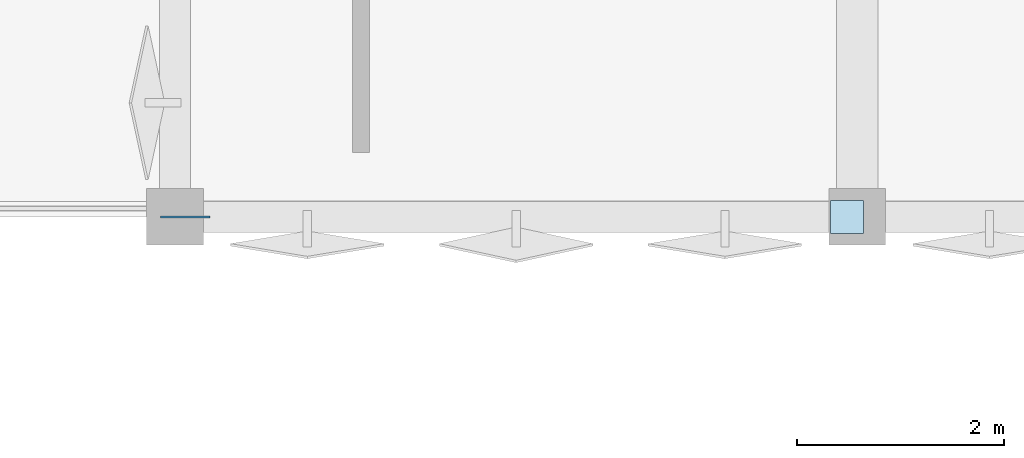
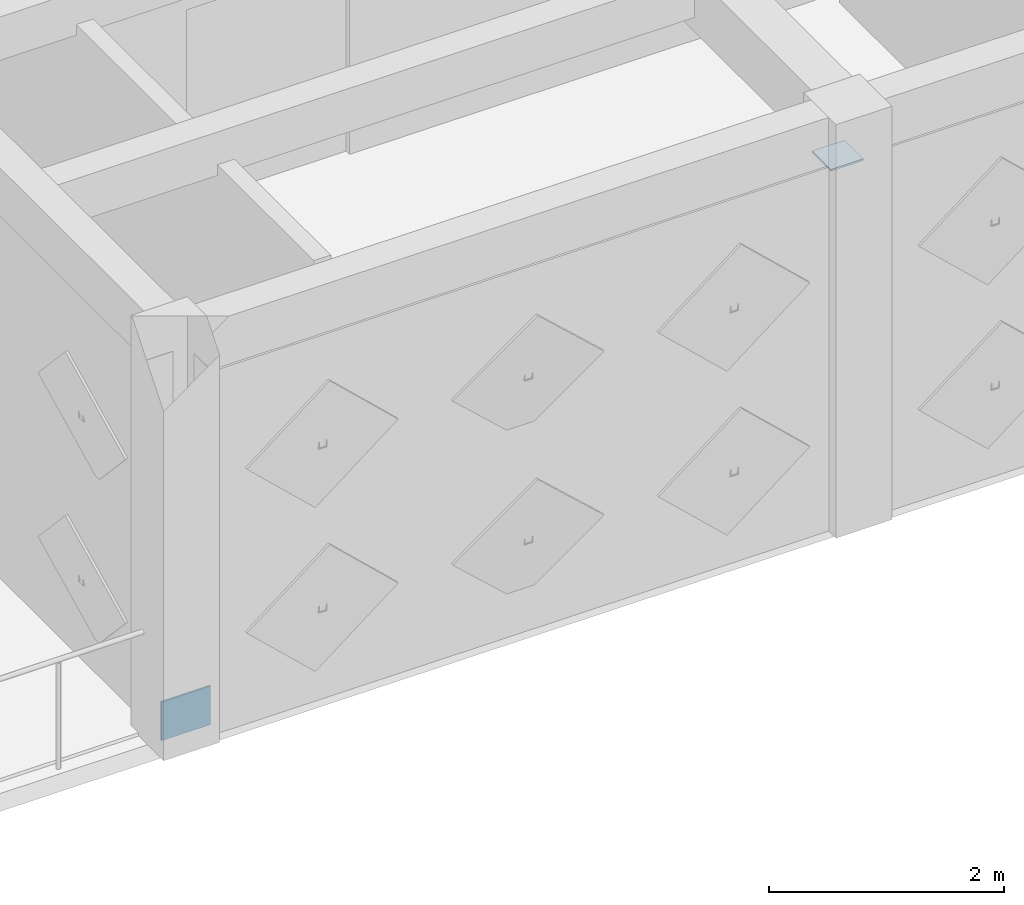
# One storey, part 27 of 39: 2 plates.
"""IFC4 building model written with IfcOpenShell, lengths in metres."""

import ifcopenshell
import ifcopenshell.guid

model = None  # the IFC model being written
_history = None  # IfcOwnerHistory: only IFC2X3 demands one
_inside = {}  # id of a spatial element -> (the spatial element, [elements in it])
_under = {}  # id of a project, library or spatial element -> (it, [spatial elements below it])
_declared = {}  # id of a project -> (the project, [libraries it declares])
_typed = {}  # id of a type object -> (the type object, [elements of that type])
_made_of = {}  # id of a material, layer set ... -> (it, [elements and type objects made of it])


def new_model(schema):
    """Start an empty IFC model of exactly this schema.

    Asked for "IFC4X3", IfcOpenShell would pick the latest addendum, in which some entities
    have other attributes; the version numbers below select the first issue.
    IFC2X3 requires an IfcOwnerHistory on every rooted entity: one is made here for all.
    """
    global model, _history
    if schema == "IFC4X3":
        model = ifcopenshell.file(schema_version=(4, 3, 0, 0))
    else:
        model = ifcopenshell.file(schema=schema)
    _inside.clear()
    _under.clear()
    _declared.clear()
    _typed.clear()
    _made_of.clear()
    _history = None
    if model.schema == "IFC2X3":
        org = make("IfcOrganization", Name="unknown")
        user = make(
            "IfcPersonAndOrganization",
            ThePerson=make("IfcPerson", FamilyName="unknown"),
            TheOrganization=org,
        )
        app = make(
            "IfcApplication",
            ApplicationDeveloper=org,
            Version="unknown",
            ApplicationFullName="unknown",
            ApplicationIdentifier="unknown",
        )
        _history = make(
            "IfcOwnerHistory",
            OwningUser=user,
            OwningApplication=app,
            ChangeAction="ADDED",
            CreationDate=0,
        )
    return model


def make(cls, **values):
    """One entity of the class cls with the attributes given. An attribute that is None is left unset."""
    return model.create_entity(
        cls, **{name: value for name, value in values.items() if value is not None}
    )


def rooted(cls, **values):
    """An entity with a GlobalId (a new one), such as an element, a storey or a relation."""
    return make(cls, GlobalId=ifcopenshell.guid.new(), OwnerHistory=_history, **values)


def si_unit(unit_type, name, prefix=None):
    """IfcSIUnit, for example si_unit("LENGTHUNIT", "METRE", prefix="MILLI")."""
    return make("IfcSIUnit", UnitType=unit_type, Prefix=prefix, Name=name)


def assignment(units):
    """IfcUnitAssignment: the units of a project."""
    return None if units is None else make("IfcUnitAssignment", Units=units)


def point(xyz):
    """IfcCartesianPoint."""
    return None if xyz is None else make("IfcCartesianPoint", Coordinates=xyz)


def direction(xyz):
    """IfcDirection."""
    return None if xyz is None else make("IfcDirection", DirectionRatios=xyz)


def frame(location, z_axis=None, x_axis=None):
    """IfcAxis2Placement3D, a coordinate frame: its origin and axes. An axis left out is left unset."""
    return make(
        "IfcAxis2Placement3D",
        Location=point(location),
        Axis=direction(z_axis),
        RefDirection=direction(x_axis),
    )


def frame_2d(location, x_axis=None):
    """IfcAxis2Placement2D, a coordinate frame in the plane: its origin and x axis."""
    return make(
        "IfcAxis2Placement2D", Location=point(location), RefDirection=direction(x_axis)
    )


def origin():
    """The frame at (0, 0, 0) with its axes left unset."""
    return frame((0.0, 0.0, 0.0))


def origin_2d():
    """The frame at (0, 0) in the plane with its x axis left unset."""
    return frame_2d((0.0, 0.0))


def place(relative_to, where):
    """IfcLocalPlacement: puts the frame where relative to a parent placement (None: the world)."""
    return make(
        "IfcLocalPlacement", PlacementRelTo=relative_to, RelativePlacement=where
    )


def context(
    kind, dimensions, precision=None, world=None, true_north=None, identifier=None
):
    """IfcGeometricRepresentationContext, for example the 3D "Model" context."""
    return make(
        "IfcGeometricRepresentationContext",
        ContextIdentifier=identifier,
        ContextType=kind,
        CoordinateSpaceDimension=dimensions,
        Precision=precision,
        WorldCoordinateSystem=world,
        TrueNorth=true_north,
    )


def subcontext(parent, identifier, kind, view, scale=None):
    """IfcGeometricRepresentationSubContext, for example "Body" below "Model"."""
    return make(
        "IfcGeometricRepresentationSubContext",
        ContextIdentifier=identifier,
        ContextType=kind,
        ParentContext=parent,
        TargetScale=scale,
        TargetView=view,
    )


def project(units=None, contexts=None):
    """IfcProject with its units and contexts."""
    return rooted(
        "IfcProject",
        Name="project",
        RepresentationContexts=contexts,
        UnitsInContext=assignment(units),
    )


def spatial(cls, under=None, at=None, **own):
    """A site, building, storey or space (cls), placed at a placement, below another one or the project."""
    s = rooted(cls, ObjectPlacement=at, **own)
    if under is not None:
        _under.setdefault(under.id(), (under, []))[1].append(s)
    return s


def profile(cls, at=None, kind="AREA", **sizes):
    """A parametric profile (cls). Its sizes go by their IFC names, for example OverallWidth=200.0."""
    return make(cls, ProfileType=kind, Position=at, **sizes)


def rectangle(**sizes):
    """IfcRectangleProfileDef."""
    return profile("IfcRectangleProfileDef", **sizes)


def extrude(swept, where, along, depth):
    """IfcExtrudedAreaSolid: the profile swept, set in the frame where, extruded along a direction by depth."""
    return make(
        "IfcExtrudedAreaSolid",
        SweptArea=swept,
        Position=where,
        ExtrudedDirection=direction(along),
        Depth=depth,
    )


def shape(context_of_items, identifier, shape_type, items):
    """IfcShapeRepresentation: the items that make up one representation, for example the "Body"."""
    return make(
        "IfcShapeRepresentation",
        ContextOfItems=context_of_items,
        RepresentationIdentifier=identifier,
        RepresentationType=shape_type,
        Items=items,
    )


def material(Name=None, Category=None):
    """IfcMaterial."""
    return make("IfcMaterial", Name=Name, Category=Category)


def layer(
    of_material, thickness, ventilated=None, Name=None, Category=None, Priority=None
):
    """IfcMaterialLayer: one layer of a wall or slab, of a material (None: an air gap)."""
    return make(
        "IfcMaterialLayer",
        Material=of_material,
        LayerThickness=thickness,
        IsVentilated=ventilated,
        Name=Name,
        Category=Category,
        Priority=Priority,
    )


def layer_set(layers, Name=None):
    """IfcMaterialLayerSet."""
    return make("IfcMaterialLayerSet", MaterialLayers=layers, LayerSetName=Name)


def made_of(thing, what):
    """Note that an element or type object is made of a material, layer set ...; save() writes the relation."""
    if what is not None:
        _made_of.setdefault(what.id(), (what, []))[1].append(thing)
    return thing


def type_object(cls, material=None, **own):
    """A type object (cls), such as IfcWallType, which elements share."""
    return made_of(rooted(cls, **own), material)


def element(
    cls,
    number,
    at=None,
    inside=None,
    cuts=None,
    type_object=None,
    material=None,
    context=None,
    identifier="Body",
    shape_type=None,
    held_by="IfcProductDefinitionShape",
    body=None,
    shapes=None,
    **own,
):
    """One element of the class cls, such as IfcWall. Its Tag is "e" and its number.

    at: its placement. inside: the storey or other place that contains it. cuts: it is an
    opening in that element (IfcRelVoidsElement). A single representation is given by context,
    identifier, shape_type and body (its items); several are given by shapes. held_by: the class
    of the entity that holds the representations. save() writes the other relations.
    """
    e = rooted(cls, Tag="e%d" % number, ObjectPlacement=at, **own)
    if body is not None:
        shapes = [shape(context, identifier, shape_type, body)]
    if shapes is not None:
        e.Representation = make(held_by, Representations=shapes)
    if inside is not None:
        _inside.setdefault(inside.id(), (inside, []))[1].append(e)
    if cuts is not None:
        rooted(
            "IfcRelVoidsElement", RelatingBuildingElement=cuts, RelatedOpeningElement=e
        )
    if type_object is not None:
        _typed.setdefault(type_object.id(), (type_object, []))[1].append(e)
    return made_of(e, material)


def aggregate(whole, parts):
    """IfcRelAggregates: a whole, such as a stair, and the parts it consists of."""
    return rooted("IfcRelAggregates", RelatingObject=whole, RelatedObjects=parts)


def save(model, path):
    """Write the relations noted so far, then the file.

    IfcRelAggregates (storeys below a building ...), IfcRelContainedInSpatialStructure (elements
    in a storey), IfcRelDefinesByType, IfcRelAssociatesMaterial and IfcRelDeclares: one each for
    every whole, place, type object, material and project.
    """
    for whole, parts in _under.values():
        aggregate(whole, parts)
    for where, things in _inside.values():
        rooted(
            "IfcRelContainedInSpatialStructure",
            RelatedElements=things,
            RelatingStructure=where,
        )
    for kind, things in _typed.values():
        rooted("IfcRelDefinesByType", RelatedObjects=things, RelatingType=kind)
    for what, things in _made_of.values():
        rooted("IfcRelAssociatesMaterial", RelatedObjects=things, RelatingMaterial=what)
    for by, libraries in _declared.values():
        rooted("IfcRelDeclares", RelatingContext=by, RelatedDefinitions=libraries)
    model.write(path)


model = new_model("IFC4")

# Units and contexts
model_context = context("Model", 3, precision=1e-05, world=origin(), true_north=direction((0.0, 1.0)))
body_context = subcontext(model_context, "Body", "Model", "MODEL_VIEW")
ifc_project = project(units=[si_unit("LENGTHUNIT", "METRE"), si_unit("AREAUNIT", "SQUARE_METRE"), si_unit("VOLUMEUNIT", "CUBIC_METRE"), si_unit("PLANEANGLEUNIT", "RADIAN"), si_unit("MASSUNIT", "GRAM", prefix="KILO")], contexts=[model_context])

# Site, building, storey
site_placement = place(None, origin())
site = spatial("IfcSite", under=ifc_project, at=site_placement, CompositionType="ELEMENT")
building_placement = place(site_placement, origin())
building = spatial("IfcBuilding", under=site, at=building_placement, Name="Kharisveld Research Institute", CompositionType="ELEMENT")
storey_placement = place(building_placement, frame((0.0, 0.0, 23.10009765625)))
storey = spatial("IfcBuildingStorey", under=building, at=storey_placement, Name="L05", CompositionType="ELEMENT", Elevation=23.10009765625)

# Plates
ifc_material_1 = material(Name="Steel S355JR", Category="steel")
ifc_layer_1 = layer(ifc_material_1, 0.01806640625)
ifc_layer_set_1 = layer_set([ifc_layer_1], Name="PL_CAP_B")
plate_type_1 = type_object("IfcPlateType", Name="PL_CAP_B", PredefinedType="SHEET", material=ifc_layer_set_1)
plate_1_placement = place(storey_placement, frame((127.699951171875, 39.199951171875, 3.73095703125), z_axis=(0.0, 0.0, 1.0), x_axis=(1.0, 0.0, 0.0)))
element("IfcPlate", 1, at=plate_1_placement, inside=storey, type_object=plate_type_1, Name="PLT:V2:L05:CAP_1_0", PredefinedType="SHEET", context=body_context, shape_type="SweptSolid", body=[
    extrude(rectangle(XDim=0.320068359375, YDim=0.320068359375, at=origin_2d()), origin(), (0.0, 0.0, 1.0), 0.01806640625),
])
ifc_material_2 = material(Name="Steel S355JR", Category="steel")
ifc_layer_2 = layer(ifc_material_2, 0.02001953125)
ifc_layer_set_2 = layer_set([ifc_layer_2], Name="PL_GUS_B")
plate_type_2 = type_object("IfcPlateType", Name="PL_GUS_B", PredefinedType="USERDEFINED", material=ifc_layer_set_2)
plate_2_placement = place(storey_placement, frame((121.300048828125, 39.199951171875, 0.0), z_axis=(0.0, 0.0, 1.0), x_axis=(1.0, 0.0, 0.0)))
element("IfcPlate", 2, at=plate_2_placement, inside=storey, type_object=plate_type_2, Name="PLT:V2:L05:GUS_1_0", ObjectType="GUSSET PLATE", PredefinedType="USERDEFINED", context=body_context, shape_type="SweptSolid", body=[
    extrude(rectangle(XDim=0.47998046875, YDim=0.02001953125, at=origin_2d()), origin(), (0.0, 0.0, 1.0), 0.39990234375),
])

save(model, "model.ifc")
